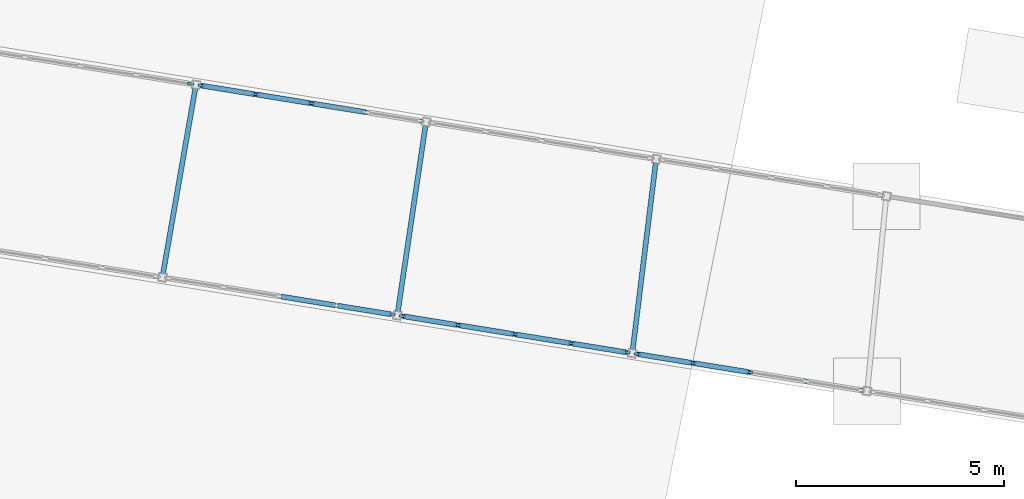
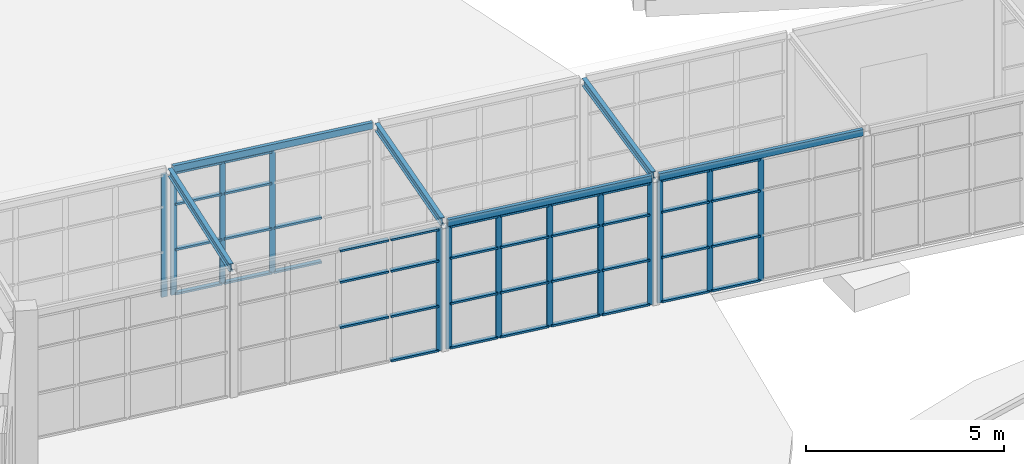
# One storey, part 69 of 226: 54 members, 6 beams, 5 elements without a shape of their own.
"""IFC4 building model written with IfcOpenShell, lengths in metres."""

from ifc_helpers import new_model, si_unit, direction, frame, origin, origin_2d, place, context, subcontext, project, spatial, rectangle, hollow_rectangle, i_section, extrude, material, material_profile, profile_set, type_object, element, aggregate, save


model = new_model("IFC4")

# Units and contexts
model_context = context("Model", 3, precision=1e-05, world=origin(), true_north=direction((0.0, 1.0)))
body_context = subcontext(model_context, "Body", "Model", "MODEL_VIEW")
ifc_project = project(units=[si_unit("LENGTHUNIT", "METRE"), si_unit("AREAUNIT", "SQUARE_METRE"), si_unit("VOLUMEUNIT", "CUBIC_METRE"), si_unit("PLANEANGLEUNIT", "RADIAN"), si_unit("MASSUNIT", "GRAM", prefix="KILO")], contexts=[model_context])

# Site, building, storey
site_placement = place(None, origin())
site = spatial("IfcSite", under=ifc_project, at=site_placement, CompositionType="ELEMENT")
building_placement = place(site_placement, origin())
building = spatial("IfcBuilding", under=site, at=building_placement, Name="Ceibo Conservatory and Research Tower", CompositionType="ELEMENT")
storey_placement = place(building_placement, origin())
storey = spatial("IfcBuildingStorey", under=building, at=storey_placement, Name="L00", CompositionType="ELEMENT", Elevation=0.0)

# Curtain wall, members
ifc_material_1 = material(Name="Aluminium and glass", Category="aluminium")
curtain_wall_type = type_object("IfcCurtainWallType", Name="Gallery curtain wall", PredefinedType="NOTDEFINED", material=ifc_material_1)
curtain_wall_1_placement = place(storey_placement, origin())
curtain_wall_1 = element("IfcCurtainWall", 1, at=curtain_wall_1_placement, inside=storey, type_object=curtain_wall_type, Name="Gallery curtain wall A-RT-CWN06", PredefinedType="NOTDEFINED")
ifc_material_2 = material(Name="Aluminium", Category="aluminium")
ifc_material_profile_1 = material_profile(ifc_material_2, rectangle(XDim=0.06005859375, YDim=0.159912109375, at=origin_2d()), Name="AL 60x160")
ifc_profile_set_1 = profile_set([ifc_material_profile_1], Name="Aluminium")
member_type_1 = type_object("IfcMemberType", Name="Gallery mullion 60x160", PredefinedType="MULLION", material=ifc_profile_set_1)
member_1_placement = place(storey_placement, frame((89.44873046875, 110.134765625, 0.0), z_axis=(0.0, 0.0, 1.0), x_axis=(-0.159391110254, -0.987215515464, 0.0)))
member_1 = element("IfcMember", 2, at=member_1_placement, type_object=member_type_1, Name="A-RT-CWN06 mullion 3", PredefinedType="MULLION", context=body_context, shape_type="SweptSolid", body=[
    extrude(rectangle(XDim=0.06005859375, YDim=0.159912109375, at=origin_2d()), origin(), (0.0, 0.0, 1.0), 3.800048828125),
])
member_2_placement = place(storey_placement, frame((88.0869140625, 110.354736328125, 0.0), z_axis=(0.0, 0.0, 1.0), x_axis=(-0.159391110254, -0.987215515464, 0.0)))
member_2 = element("IfcMember", 3, at=member_2_placement, type_object=member_type_1, Name="A-RT-CWN06 mullion 4", PredefinedType="MULLION", context=body_context, shape_type="SweptSolid", body=[
    extrude(rectangle(XDim=0.06005859375, YDim=0.159912109375, at=origin_2d()), origin(), (0.0, 0.0, 1.0), 3.800048828125),
])
member_3_placement = place(storey_placement, frame((86.754638671875, 110.56982421875, 0.0), z_axis=(0.0, 0.0, 1.0), x_axis=(-0.159391110254, -0.987215515464, 0.0)))
member_3 = element("IfcMember", 4, at=member_3_placement, type_object=member_type_1, Name="A-RT-CWN06 mullion 5", PredefinedType="MULLION", context=body_context, shape_type="SweptSolid", body=[
    extrude(rectangle(XDim=0.06005859375, YDim=0.159912109375, at=origin_2d()), origin(), (0.0, 0.0, 1.0), 3.800048828125),
])

curtain_wall_2_placement = place(storey_placement, origin())
curtain_wall_2 = element("IfcCurtainWall", 5, at=curtain_wall_2_placement, inside=storey, type_object=curtain_wall_type, Name="Gallery curtain wall A-RT-CWN07", PredefinedType="NOTDEFINED")
member_4_placement = place(storey_placement, frame((86.497802734375, 110.611083984375, 0.0), z_axis=(0.0, 0.0, 1.0), x_axis=(-0.159391110254, -0.987215515464, 0.0)))
member_4 = element("IfcMember", 6, at=member_4_placement, type_object=member_type_1, Name="A-RT-CWN07 mullion 1", PredefinedType="MULLION", context=body_context, shape_type="SweptSolid", body=[
    extrude(rectangle(XDim=0.06005859375, YDim=0.159912109375, at=origin_2d()), origin(), (0.0, 0.0, 1.0), 3.800048828125),
])
member_5_placement = place(storey_placement, frame((85.16552734375, 110.826171875, 0.0), z_axis=(0.0, 0.0, 1.0), x_axis=(-0.159391110254, -0.987215515464, 0.0)))
member_5 = element("IfcMember", 7, at=member_5_placement, type_object=member_type_1, Name="A-RT-CWN07 mullion 2", PredefinedType="MULLION", context=body_context, shape_type="SweptSolid", body=[
    extrude(rectangle(XDim=0.06005859375, YDim=0.159912109375, at=origin_2d()), origin(), (0.0, 0.0, 1.0), 3.800048828125),
])
member_6_placement = place(storey_placement, frame((83.8037109375, 111.046142578125, 0.0), z_axis=(0.0, 0.0, 1.0), x_axis=(-0.159391110254, -0.987215515464, 0.0)))
member_6 = element("IfcMember", 8, at=member_6_placement, type_object=member_type_1, Name="A-RT-CWN07 mullion 3", PredefinedType="MULLION", context=body_context, shape_type="SweptSolid", body=[
    extrude(rectangle(XDim=0.06005859375, YDim=0.159912109375, at=origin_2d()), origin(), (0.0, 0.0, 1.0), 3.800048828125),
])
member_7_placement = place(storey_placement, frame((82.44189453125, 111.26611328125, 0.0), z_axis=(0.0, 0.0, 1.0), x_axis=(-0.159391110254, -0.987215515464, 0.0)))
member_7 = element("IfcMember", 9, at=member_7_placement, type_object=member_type_1, Name="A-RT-CWN07 mullion 4", PredefinedType="MULLION", context=body_context, shape_type="SweptSolid", body=[
    extrude(rectangle(XDim=0.06005859375, YDim=0.159912109375, at=origin_2d()), origin(), (0.0, 0.0, 1.0), 3.800048828125),
])
member_8_placement = place(storey_placement, frame((81.109619140625, 111.481201171875, 0.0), z_axis=(0.0, 0.0, 1.0), x_axis=(-0.159391110254, -0.987215515464, 0.0)))
member_8 = element("IfcMember", 10, at=member_8_placement, type_object=member_type_1, Name="A-RT-CWN07 mullion 5", PredefinedType="MULLION", context=body_context, shape_type="SweptSolid", body=[
    extrude(rectangle(XDim=0.06005859375, YDim=0.159912109375, at=origin_2d()), origin(), (0.0, 0.0, 1.0), 3.800048828125),
])

# Curtain wall, member
curtain_wall_3_placement = place(storey_placement, origin())
curtain_wall_3 = element("IfcCurtainWall", 11, at=curtain_wall_3_placement, inside=storey, type_object=curtain_wall_type, Name="Gallery curtain wall A-RT-CWN08", PredefinedType="NOTDEFINED")
member_9_placement = place(storey_placement, frame((80.852783203125, 111.522705078125, 0.0), z_axis=(0.0, 0.0, 1.0), x_axis=(-0.159391110254, -0.987215515464, 0.0)))
member_9 = element("IfcMember", 12, at=member_9_placement, type_object=member_type_1, Name="A-RT-CWN08 mullion 1", PredefinedType="MULLION", context=body_context, shape_type="SweptSolid", body=[
    extrude(rectangle(XDim=0.06005859375, YDim=0.159912109375, at=origin_2d()), origin(), (0.0, 0.0, 1.0), 3.800048828125),
])

# Curtain wall, members
curtain_wall_4_placement = place(storey_placement, origin())
curtain_wall_4 = element("IfcCurtainWall", 13, at=curtain_wall_4_placement, inside=storey, type_object=curtain_wall_type, Name="Gallery curtain wall A-RT-CWS08", PredefinedType="NOTDEFINED")
member_10_placement = place(storey_placement, frame((78.907958984375, 116.597412109375, 0.0), z_axis=(0.0, 0.0, 1.0), x_axis=(-0.159391110254, -0.987215515464, 0.0)))
member_10 = element("IfcMember", 14, at=member_10_placement, type_object=member_type_1, Name="A-RT-CWS08 mullion 3", PredefinedType="MULLION", context=body_context, shape_type="SweptSolid", body=[
    extrude(rectangle(XDim=0.06005859375, YDim=0.159912109375, at=origin_2d()), origin(), (0.0, 0.0, 1.0), 3.800048828125),
])
member_11_placement = place(storey_placement, frame((77.57421875, 116.812744140625, 0.0), z_axis=(0.0, 0.0, 1.0), x_axis=(-0.159391110254, -0.987215515464, 0.0)))
member_11 = element("IfcMember", 15, at=member_11_placement, type_object=member_type_1, Name="A-RT-CWS08 mullion 4", PredefinedType="MULLION", context=body_context, shape_type="SweptSolid", body=[
    extrude(rectangle(XDim=0.06005859375, YDim=0.159912109375, at=origin_2d()), origin(), (0.0, 0.0, 1.0), 3.800048828125),
])
member_12_placement = place(storey_placement, frame((76.27001953125, 117.0234375, 0.0), z_axis=(0.0, 0.0, 1.0), x_axis=(-0.159391110254, -0.987215515464, 0.0)))
member_12 = element("IfcMember", 16, at=member_12_placement, type_object=member_type_1, Name="A-RT-CWS08 mullion 5", PredefinedType="MULLION", context=body_context, shape_type="SweptSolid", body=[
    extrude(rectangle(XDim=0.06005859375, YDim=0.159912109375, at=origin_2d()), origin(), (0.0, 0.0, 1.0), 3.800048828125),
])

# Curtain wall, member
curtain_wall_5_placement = place(storey_placement, origin())
curtain_wall_5 = element("IfcCurtainWall", 17, at=curtain_wall_5_placement, inside=storey, type_object=curtain_wall_type, Name="Gallery curtain wall A-RT-CWS09", PredefinedType="NOTDEFINED")
member_13_placement = place(storey_placement, frame((76.01318359375, 117.06494140625, 0.0), z_axis=(0.0, 0.0, 1.0), x_axis=(-0.159391110254, -0.987215515464, 0.0)))
member_13 = element("IfcMember", 18, at=member_13_placement, type_object=member_type_1, Name="A-RT-CWS09 mullion 1", PredefinedType="MULLION", context=body_context, shape_type="SweptSolid", body=[
    extrude(rectangle(XDim=0.06005859375, YDim=0.159912109375, at=origin_2d()), origin(), (0.0, 0.0, 1.0), 3.800048828125),
])
aggregate(curtain_wall_5, [member_13])

# Member
ifc_material_profile_2 = material_profile(ifc_material_2, rectangle(XDim=0.1201171875, YDim=0.06005859375, at=origin_2d()), Name="AL 60x120")
ifc_profile_set_2 = profile_set([ifc_material_profile_2], Name="Aluminium")
member_type_2 = type_object("IfcMemberType", Name="Gallery transom 60x120", PredefinedType="USERDEFINED", material=ifc_profile_set_2)
member_14_placement = place(storey_placement, frame((89.419189453125, 110.1396484375, 0.030029296875), z_axis=(-0.987230798426, 0.159296423809, 0.0), x_axis=(-0.159296423809, -0.987230798426, 0.0)))
member_14 = element("IfcMember", 19, at=member_14_placement, type_object=member_type_2, Name="A-RT-CWN06 transom 3.1", ObjectType="TRANSOM", PredefinedType="USERDEFINED", context=body_context, shape_type="SweptSolid", body=[
    extrude(rectangle(XDim=0.1201171875, YDim=0.06005859375, at=origin_2d()), origin(), (0.0, 0.0, 1.0), 1.319580078125),
])

member_15_placement = place(storey_placement, frame((89.419189453125, 110.1396484375, 1.39990234375), z_axis=(-0.987230798426, 0.159296423809, 0.0), x_axis=(-0.159296423809, -0.987230798426, 0.0)))
member_15 = element("IfcMember", 20, at=member_15_placement, type_object=member_type_2, Name="A-RT-CWN06 transom 3.2", ObjectType="TRANSOM", PredefinedType="USERDEFINED", context=body_context, shape_type="SweptSolid", body=[
    extrude(rectangle(XDim=0.1201171875, YDim=0.06005859375, at=origin_2d()), origin(), (0.0, 0.0, 1.0), 1.319580078125),
])

member_16_placement = place(storey_placement, frame((89.419189453125, 110.1396484375, 2.800048828125), z_axis=(-0.987230798426, 0.159296423809, 0.0), x_axis=(-0.159296423809, -0.987230798426, 0.0)))
member_16 = element("IfcMember", 21, at=member_16_placement, type_object=member_type_2, Name="A-RT-CWN06 transom 3.3", ObjectType="TRANSOM", PredefinedType="USERDEFINED", context=body_context, shape_type="SweptSolid", body=[
    extrude(rectangle(XDim=0.1201171875, YDim=0.06005859375, at=origin_2d()), origin(), (0.0, 0.0, 1.0), 1.319580078125),
])

member_17_placement = place(storey_placement, frame((89.419189453125, 110.1396484375, 3.77001953125), z_axis=(-0.987230798426, 0.159296423809, 0.0), x_axis=(-0.159296423809, -0.987230798426, 0.0)))
member_17 = element("IfcMember", 22, at=member_17_placement, type_object=member_type_2, Name="A-RT-CWN06 transom 3.4", ObjectType="TRANSOM", PredefinedType="USERDEFINED", context=body_context, shape_type="SweptSolid", body=[
    extrude(rectangle(XDim=0.1201171875, YDim=0.06005859375, at=origin_2d()), origin(), (0.0, 0.0, 1.0), 1.319580078125),
])

member_18_placement = place(storey_placement, frame((88.05712890625, 110.359375, 0.030029296875), z_axis=(-0.987210378052, 0.159422926413, 0.0), x_axis=(-0.159422926413, -0.987210378052, 0.0)))
member_18 = element("IfcMember", 23, at=member_18_placement, type_object=member_type_2, Name="A-RT-CWN06 transom 4.1", ObjectType="TRANSOM", PredefinedType="USERDEFINED", context=body_context, shape_type="SweptSolid", body=[
    extrude(rectangle(XDim=0.1201171875, YDim=0.06005859375, at=origin_2d()), origin(), (0.0, 0.0, 1.0), 1.28955078125),
])

member_19_placement = place(storey_placement, frame((88.05712890625, 110.359375, 1.39990234375), z_axis=(-0.987210378052, 0.159422926413, 0.0), x_axis=(-0.159422926413, -0.987210378052, 0.0)))
member_19 = element("IfcMember", 24, at=member_19_placement, type_object=member_type_2, Name="A-RT-CWN06 transom 4.2", ObjectType="TRANSOM", PredefinedType="USERDEFINED", context=body_context, shape_type="SweptSolid", body=[
    extrude(rectangle(XDim=0.1201171875, YDim=0.06005859375, at=origin_2d()), origin(), (0.0, 0.0, 1.0), 1.28955078125),
])

member_20_placement = place(storey_placement, frame((88.05712890625, 110.359375, 2.800048828125), z_axis=(-0.987210378052, 0.159422926413, 0.0), x_axis=(-0.159422926413, -0.987210378052, 0.0)))
member_20 = element("IfcMember", 25, at=member_20_placement, type_object=member_type_2, Name="A-RT-CWN06 transom 4.3", ObjectType="TRANSOM", PredefinedType="USERDEFINED", context=body_context, shape_type="SweptSolid", body=[
    extrude(rectangle(XDim=0.1201171875, YDim=0.06005859375, at=origin_2d()), origin(), (0.0, 0.0, 1.0), 1.28955078125),
])

member_21_placement = place(storey_placement, frame((88.05712890625, 110.359375, 3.77001953125), z_axis=(-0.987210378052, 0.159422926413, 0.0), x_axis=(-0.159422926413, -0.987210378052, 0.0)))
member_21 = element("IfcMember", 26, at=member_21_placement, type_object=member_type_2, Name="A-RT-CWN06 transom 4.4", ObjectType="TRANSOM", PredefinedType="USERDEFINED", context=body_context, shape_type="SweptSolid", body=[
    extrude(rectangle(XDim=0.1201171875, YDim=0.06005859375, at=origin_2d()), origin(), (0.0, 0.0, 1.0), 1.28955078125),
])

aggregate(curtain_wall_1, [member_1, member_2, member_3, member_14, member_15, member_16, member_17, member_18, member_19, member_20, member_21])

member_22_placement = place(storey_placement, frame((86.46826171875, 110.615966796875, 0.030029296875), z_axis=(-0.987210378052, 0.159422926413, 0.0), x_axis=(-0.159422926413, -0.987210378052, 0.0)))
member_22 = element("IfcMember", 27, at=member_22_placement, type_object=member_type_2, Name="A-RT-CWN07 transom 1.1", ObjectType="TRANSOM", PredefinedType="USERDEFINED", context=body_context, shape_type="SweptSolid", body=[
    extrude(rectangle(XDim=0.1201171875, YDim=0.06005859375, at=origin_2d()), origin(), (0.0, 0.0, 1.0), 1.28955078125),
])

member_23_placement = place(storey_placement, frame((86.46826171875, 110.615966796875, 1.39990234375), z_axis=(-0.987210378052, 0.159422926413, 0.0), x_axis=(-0.159422926413, -0.987210378052, 0.0)))
member_23 = element("IfcMember", 28, at=member_23_placement, type_object=member_type_2, Name="A-RT-CWN07 transom 1.2", ObjectType="TRANSOM", PredefinedType="USERDEFINED", context=body_context, shape_type="SweptSolid", body=[
    extrude(rectangle(XDim=0.1201171875, YDim=0.06005859375, at=origin_2d()), origin(), (0.0, 0.0, 1.0), 1.28955078125),
])

member_24_placement = place(storey_placement, frame((86.46826171875, 110.615966796875, 2.800048828125), z_axis=(-0.987210378052, 0.159422926413, 0.0), x_axis=(-0.159422926413, -0.987210378052, 0.0)))
member_24 = element("IfcMember", 29, at=member_24_placement, type_object=member_type_2, Name="A-RT-CWN07 transom 1.3", ObjectType="TRANSOM", PredefinedType="USERDEFINED", context=body_context, shape_type="SweptSolid", body=[
    extrude(rectangle(XDim=0.1201171875, YDim=0.06005859375, at=origin_2d()), origin(), (0.0, 0.0, 1.0), 1.28955078125),
])

member_25_placement = place(storey_placement, frame((86.46826171875, 110.615966796875, 3.77001953125), z_axis=(-0.987210378052, 0.159422926413, 0.0), x_axis=(-0.159422926413, -0.987210378052, 0.0)))
member_25 = element("IfcMember", 30, at=member_25_placement, type_object=member_type_2, Name="A-RT-CWN07 transom 1.4", ObjectType="TRANSOM", PredefinedType="USERDEFINED", context=body_context, shape_type="SweptSolid", body=[
    extrude(rectangle(XDim=0.1201171875, YDim=0.06005859375, at=origin_2d()), origin(), (0.0, 0.0, 1.0), 1.28955078125),
])

member_26_placement = place(storey_placement, frame((85.135986328125, 110.8310546875, 0.030029296875), z_axis=(-0.987201687199, 0.159476734326, 0.0), x_axis=(-0.159476734326, -0.987201687199, 0.0)))
member_26 = element("IfcMember", 31, at=member_26_placement, type_object=member_type_2, Name="A-RT-CWN07 transom 2.1", ObjectType="TRANSOM", PredefinedType="USERDEFINED", context=body_context, shape_type="SweptSolid", body=[
    extrude(rectangle(XDim=0.1201171875, YDim=0.06005859375, at=origin_2d()), origin(), (0.0, 0.0, 1.0), 1.319580078125),
])

member_27_placement = place(storey_placement, frame((85.135986328125, 110.8310546875, 1.39990234375), z_axis=(-0.987201687199, 0.159476734326, 0.0), x_axis=(-0.159476734326, -0.987201687199, 0.0)))
member_27 = element("IfcMember", 32, at=member_27_placement, type_object=member_type_2, Name="A-RT-CWN07 transom 2.2", ObjectType="TRANSOM", PredefinedType="USERDEFINED", context=body_context, shape_type="SweptSolid", body=[
    extrude(rectangle(XDim=0.1201171875, YDim=0.06005859375, at=origin_2d()), origin(), (0.0, 0.0, 1.0), 1.319580078125),
])

member_28_placement = place(storey_placement, frame((85.135986328125, 110.8310546875, 2.800048828125), z_axis=(-0.987201687199, 0.159476734326, 0.0), x_axis=(-0.159476734326, -0.987201687199, 0.0)))
member_28 = element("IfcMember", 33, at=member_28_placement, type_object=member_type_2, Name="A-RT-CWN07 transom 2.3", ObjectType="TRANSOM", PredefinedType="USERDEFINED", context=body_context, shape_type="SweptSolid", body=[
    extrude(rectangle(XDim=0.1201171875, YDim=0.06005859375, at=origin_2d()), origin(), (0.0, 0.0, 1.0), 1.319580078125),
])

member_29_placement = place(storey_placement, frame((85.135986328125, 110.8310546875, 3.77001953125), z_axis=(-0.987201687199, 0.159476734326, 0.0), x_axis=(-0.159476734326, -0.987201687199, 0.0)))
member_29 = element("IfcMember", 34, at=member_29_placement, type_object=member_type_2, Name="A-RT-CWN07 transom 2.4", ObjectType="TRANSOM", PredefinedType="USERDEFINED", context=body_context, shape_type="SweptSolid", body=[
    extrude(rectangle(XDim=0.1201171875, YDim=0.06005859375, at=origin_2d()), origin(), (0.0, 0.0, 1.0), 1.319580078125),
])

member_30_placement = place(storey_placement, frame((83.774169921875, 111.051025390625, 0.030029296875), z_axis=(-0.987230798426, 0.159296423809, 0.0), x_axis=(-0.159296423809, -0.987230798426, 0.0)))
member_30 = element("IfcMember", 35, at=member_30_placement, type_object=member_type_2, Name="A-RT-CWN07 transom 3.1", ObjectType="TRANSOM", PredefinedType="USERDEFINED", context=body_context, shape_type="SweptSolid", body=[
    extrude(rectangle(XDim=0.1201171875, YDim=0.06005859375, at=origin_2d()), origin(), (0.0, 0.0, 1.0), 1.319580078125),
])

member_31_placement = place(storey_placement, frame((83.774169921875, 111.051025390625, 1.39990234375), z_axis=(-0.987230798426, 0.159296423809, 0.0), x_axis=(-0.159296423809, -0.987230798426, 0.0)))
member_31 = element("IfcMember", 36, at=member_31_placement, type_object=member_type_2, Name="A-RT-CWN07 transom 3.2", ObjectType="TRANSOM", PredefinedType="USERDEFINED", context=body_context, shape_type="SweptSolid", body=[
    extrude(rectangle(XDim=0.1201171875, YDim=0.06005859375, at=origin_2d()), origin(), (0.0, 0.0, 1.0), 1.319580078125),
])

member_32_placement = place(storey_placement, frame((83.774169921875, 111.051025390625, 2.800048828125), z_axis=(-0.987230798426, 0.159296423809, 0.0), x_axis=(-0.159296423809, -0.987230798426, 0.0)))
member_32 = element("IfcMember", 37, at=member_32_placement, type_object=member_type_2, Name="A-RT-CWN07 transom 3.3", ObjectType="TRANSOM", PredefinedType="USERDEFINED", context=body_context, shape_type="SweptSolid", body=[
    extrude(rectangle(XDim=0.1201171875, YDim=0.06005859375, at=origin_2d()), origin(), (0.0, 0.0, 1.0), 1.319580078125),
])

member_33_placement = place(storey_placement, frame((83.774169921875, 111.051025390625, 3.77001953125), z_axis=(-0.987230798426, 0.159296423809, 0.0), x_axis=(-0.159296423809, -0.987230798426, 0.0)))
member_33 = element("IfcMember", 38, at=member_33_placement, type_object=member_type_2, Name="A-RT-CWN07 transom 3.4", ObjectType="TRANSOM", PredefinedType="USERDEFINED", context=body_context, shape_type="SweptSolid", body=[
    extrude(rectangle(XDim=0.1201171875, YDim=0.06005859375, at=origin_2d()), origin(), (0.0, 0.0, 1.0), 1.319580078125),
])

member_34_placement = place(storey_placement, frame((82.412109375, 111.270751953125, 0.030029296875), z_axis=(-0.987210378052, 0.159422926413, 0.0), x_axis=(-0.159422926413, -0.987210378052, 0.0)))
member_34 = element("IfcMember", 39, at=member_34_placement, type_object=member_type_2, Name="A-RT-CWN07 transom 4.1", ObjectType="TRANSOM", PredefinedType="USERDEFINED", context=body_context, shape_type="SweptSolid", body=[
    extrude(rectangle(XDim=0.1201171875, YDim=0.06005859375, at=origin_2d()), origin(), (0.0, 0.0, 1.0), 1.28955078125),
])

member_35_placement = place(storey_placement, frame((82.412109375, 111.270751953125, 1.39990234375), z_axis=(-0.987210378052, 0.159422926413, 0.0), x_axis=(-0.159422926413, -0.987210378052, 0.0)))
member_35 = element("IfcMember", 40, at=member_35_placement, type_object=member_type_2, Name="A-RT-CWN07 transom 4.2", ObjectType="TRANSOM", PredefinedType="USERDEFINED", context=body_context, shape_type="SweptSolid", body=[
    extrude(rectangle(XDim=0.1201171875, YDim=0.06005859375, at=origin_2d()), origin(), (0.0, 0.0, 1.0), 1.28955078125),
])

member_36_placement = place(storey_placement, frame((82.412109375, 111.270751953125, 2.800048828125), z_axis=(-0.987210378052, 0.159422926413, 0.0), x_axis=(-0.159422926413, -0.987210378052, 0.0)))
member_36 = element("IfcMember", 41, at=member_36_placement, type_object=member_type_2, Name="A-RT-CWN07 transom 4.3", ObjectType="TRANSOM", PredefinedType="USERDEFINED", context=body_context, shape_type="SweptSolid", body=[
    extrude(rectangle(XDim=0.1201171875, YDim=0.06005859375, at=origin_2d()), origin(), (0.0, 0.0, 1.0), 1.28955078125),
])

member_37_placement = place(storey_placement, frame((82.412109375, 111.270751953125, 3.77001953125), z_axis=(-0.987210378052, 0.159422926413, 0.0), x_axis=(-0.159422926413, -0.987210378052, 0.0)))
member_37 = element("IfcMember", 42, at=member_37_placement, type_object=member_type_2, Name="A-RT-CWN07 transom 4.4", ObjectType="TRANSOM", PredefinedType="USERDEFINED", context=body_context, shape_type="SweptSolid", body=[
    extrude(rectangle(XDim=0.1201171875, YDim=0.06005859375, at=origin_2d()), origin(), (0.0, 0.0, 1.0), 1.28955078125),
])

aggregate(curtain_wall_2, [member_4, member_5, member_6, member_7, member_8, member_22, member_23, member_24, member_25, member_26, member_27, member_28, member_29, member_30, member_31, member_32, member_33, member_34, member_35, member_36, member_37])

member_38_placement = place(storey_placement, frame((80.8232421875, 111.52734375, 0.030029296875), z_axis=(-0.987210378052, 0.159422926413, 0.0), x_axis=(-0.159422926413, -0.987210378052, 0.0)))
member_38 = element("IfcMember", 43, at=member_38_placement, type_object=member_type_2, Name="A-RT-CWN08 transom 1.1", ObjectType="TRANSOM", PredefinedType="USERDEFINED", context=body_context, shape_type="SweptSolid", body=[
    extrude(rectangle(XDim=0.1201171875, YDim=0.06005859375, at=origin_2d()), origin(), (0.0, 0.0, 1.0), 1.28955078125),
])

member_39_placement = place(storey_placement, frame((80.8232421875, 111.52734375, 1.39990234375), z_axis=(-0.987210378052, 0.159422926413, 0.0), x_axis=(-0.159422926413, -0.987210378052, 0.0)))
member_39 = element("IfcMember", 44, at=member_39_placement, type_object=member_type_2, Name="A-RT-CWN08 transom 1.2", ObjectType="TRANSOM", PredefinedType="USERDEFINED", context=body_context, shape_type="SweptSolid", body=[
    extrude(rectangle(XDim=0.1201171875, YDim=0.06005859375, at=origin_2d()), origin(), (0.0, 0.0, 1.0), 1.28955078125),
])

member_40_placement = place(storey_placement, frame((80.8232421875, 111.52734375, 2.800048828125), z_axis=(-0.987210378052, 0.159422926413, 0.0), x_axis=(-0.159422926413, -0.987210378052, 0.0)))
member_40 = element("IfcMember", 45, at=member_40_placement, type_object=member_type_2, Name="A-RT-CWN08 transom 1.3", ObjectType="TRANSOM", PredefinedType="USERDEFINED", context=body_context, shape_type="SweptSolid", body=[
    extrude(rectangle(XDim=0.1201171875, YDim=0.06005859375, at=origin_2d()), origin(), (0.0, 0.0, 1.0), 1.28955078125),
])

member_41_placement = place(storey_placement, frame((80.8232421875, 111.52734375, 3.77001953125), z_axis=(-0.987210378052, 0.159422926413, 0.0), x_axis=(-0.159422926413, -0.987210378052, 0.0)))
member_41 = element("IfcMember", 46, at=member_41_placement, type_object=member_type_2, Name="A-RT-CWN08 transom 1.4", ObjectType="TRANSOM", PredefinedType="USERDEFINED", context=body_context, shape_type="SweptSolid", body=[
    extrude(rectangle(XDim=0.1201171875, YDim=0.06005859375, at=origin_2d()), origin(), (0.0, 0.0, 1.0), 1.28955078125),
])

member_42_placement = place(storey_placement, frame((79.490966796875, 111.742431640625, 1.39990234375), z_axis=(-0.987201687199, 0.159476734326, 0.0), x_axis=(-0.159476734326, -0.987201687199, 0.0)))
member_42 = element("IfcMember", 47, at=member_42_placement, type_object=member_type_2, Name="A-RT-CWN08 transom 2.2", ObjectType="TRANSOM", PredefinedType="USERDEFINED", context=body_context, shape_type="SweptSolid", body=[
    extrude(rectangle(XDim=0.1201171875, YDim=0.06005859375, at=origin_2d()), origin(), (0.0, 0.0, 1.0), 1.319580078125),
])

member_43_placement = place(storey_placement, frame((79.490966796875, 111.742431640625, 2.800048828125), z_axis=(-0.987201687199, 0.159476734326, 0.0), x_axis=(-0.159476734326, -0.987201687199, 0.0)))
member_43 = element("IfcMember", 48, at=member_43_placement, type_object=member_type_2, Name="A-RT-CWN08 transom 2.3", ObjectType="TRANSOM", PredefinedType="USERDEFINED", context=body_context, shape_type="SweptSolid", body=[
    extrude(rectangle(XDim=0.1201171875, YDim=0.06005859375, at=origin_2d()), origin(), (0.0, 0.0, 1.0), 1.319580078125),
])

member_44_placement = place(storey_placement, frame((79.490966796875, 111.742431640625, 3.77001953125), z_axis=(-0.987201687199, 0.159476734326, 0.0), x_axis=(-0.159476734326, -0.987201687199, 0.0)))
member_44 = element("IfcMember", 49, at=member_44_placement, type_object=member_type_2, Name="A-RT-CWN08 transom 2.4", ObjectType="TRANSOM", PredefinedType="USERDEFINED", context=body_context, shape_type="SweptSolid", body=[
    extrude(rectangle(XDim=0.1201171875, YDim=0.06005859375, at=origin_2d()), origin(), (0.0, 0.0, 1.0), 1.319580078125),
])

aggregate(curtain_wall_3, [member_9, member_38, member_39, member_40, member_41, member_42, member_43, member_44])

member_45_placement = place(storey_placement, frame((80.21240234375, 116.386962890625, 0.030029296875), z_axis=(-0.987214258871, 0.159398892976, 0.0), x_axis=(-0.159398892976, -0.987214258871, 0.0)))
member_45 = element("IfcMember", 50, at=member_45_placement, type_object=member_type_2, Name="A-RT-CWS08 transom 2.1", ObjectType="TRANSOM", PredefinedType="USERDEFINED", context=body_context, shape_type="SweptSolid", body=[
    extrude(rectangle(XDim=0.1201171875, YDim=0.06005859375, at=origin_2d()), origin(), (0.0, 0.0, 1.0), 1.291259765625),
])

member_46_placement = place(storey_placement, frame((80.21240234375, 116.386962890625, 1.39990234375), z_axis=(-0.987214258871, 0.159398892976, 0.0), x_axis=(-0.159398892976, -0.987214258871, 0.0)))
member_46 = element("IfcMember", 51, at=member_46_placement, type_object=member_type_2, Name="A-RT-CWS08 transom 2.2", ObjectType="TRANSOM", PredefinedType="USERDEFINED", context=body_context, shape_type="SweptSolid", body=[
    extrude(rectangle(XDim=0.1201171875, YDim=0.06005859375, at=origin_2d()), origin(), (0.0, 0.0, 1.0), 1.291259765625),
])

member_47_placement = place(storey_placement, frame((78.87841796875, 116.602294921875, 0.030029296875), z_axis=(-0.987214258871, 0.159398892976, 0.0), x_axis=(-0.159398892976, -0.987214258871, 0.0)))
member_47 = element("IfcMember", 52, at=member_47_placement, type_object=member_type_2, Name="A-RT-CWS08 transom 3.1", ObjectType="TRANSOM", PredefinedType="USERDEFINED", context=body_context, shape_type="SweptSolid", body=[
    extrude(rectangle(XDim=0.1201171875, YDim=0.06005859375, at=origin_2d()), origin(), (0.0, 0.0, 1.0), 1.291259765625),
])

member_48_placement = place(storey_placement, frame((78.87841796875, 116.602294921875, 1.39990234375), z_axis=(-0.987214258871, 0.159398892976, 0.0), x_axis=(-0.159398892976, -0.987214258871, 0.0)))
member_48 = element("IfcMember", 53, at=member_48_placement, type_object=member_type_2, Name="A-RT-CWS08 transom 3.2", ObjectType="TRANSOM", PredefinedType="USERDEFINED", context=body_context, shape_type="SweptSolid", body=[
    extrude(rectangle(XDim=0.1201171875, YDim=0.06005859375, at=origin_2d()), origin(), (0.0, 0.0, 1.0), 1.291259765625),
])

member_49_placement = place(storey_placement, frame((78.87841796875, 116.602294921875, 2.800048828125), z_axis=(-0.987214258871, 0.159398892976, 0.0), x_axis=(-0.159398892976, -0.987214258871, 0.0)))
member_49 = element("IfcMember", 54, at=member_49_placement, type_object=member_type_2, Name="A-RT-CWS08 transom 3.3", ObjectType="TRANSOM", PredefinedType="USERDEFINED", context=body_context, shape_type="SweptSolid", body=[
    extrude(rectangle(XDim=0.1201171875, YDim=0.06005859375, at=origin_2d()), origin(), (0.0, 0.0, 1.0), 1.291259765625),
])

member_50_placement = place(storey_placement, frame((78.87841796875, 116.602294921875, 3.77001953125), z_axis=(-0.987214258871, 0.159398892976, 0.0), x_axis=(-0.159398892976, -0.987214258871, 0.0)))
member_50 = element("IfcMember", 55, at=member_50_placement, type_object=member_type_2, Name="A-RT-CWS08 transom 3.4", ObjectType="TRANSOM", PredefinedType="USERDEFINED", context=body_context, shape_type="SweptSolid", body=[
    extrude(rectangle(XDim=0.1201171875, YDim=0.06005859375, at=origin_2d()), origin(), (0.0, 0.0, 1.0), 1.291259765625),
])

member_51_placement = place(storey_placement, frame((77.544677734375, 116.817626953125, 0.030029296875), z_axis=(-0.987228356567, 0.159311556364, 0.0), x_axis=(-0.159311556364, -0.987228356567, 0.0)))
member_51 = element("IfcMember", 56, at=member_51_placement, type_object=member_type_2, Name="A-RT-CWS08 transom 4.1", ObjectType="TRANSOM", PredefinedType="USERDEFINED", context=body_context, shape_type="SweptSolid", body=[
    extrude(rectangle(XDim=0.1201171875, YDim=0.06005859375, at=origin_2d()), origin(), (0.0, 0.0, 1.0), 1.26123046875),
])

member_52_placement = place(storey_placement, frame((77.544677734375, 116.817626953125, 1.39990234375), z_axis=(-0.987228356567, 0.159311556364, 0.0), x_axis=(-0.159311556364, -0.987228356567, 0.0)))
member_52 = element("IfcMember", 57, at=member_52_placement, type_object=member_type_2, Name="A-RT-CWS08 transom 4.2", ObjectType="TRANSOM", PredefinedType="USERDEFINED", context=body_context, shape_type="SweptSolid", body=[
    extrude(rectangle(XDim=0.1201171875, YDim=0.06005859375, at=origin_2d()), origin(), (0.0, 0.0, 1.0), 1.26123046875),
])

member_53_placement = place(storey_placement, frame((77.544677734375, 116.817626953125, 2.800048828125), z_axis=(-0.987228356567, 0.159311556364, 0.0), x_axis=(-0.159311556364, -0.987228356567, 0.0)))
member_53 = element("IfcMember", 58, at=member_53_placement, type_object=member_type_2, Name="A-RT-CWS08 transom 4.3", ObjectType="TRANSOM", PredefinedType="USERDEFINED", context=body_context, shape_type="SweptSolid", body=[
    extrude(rectangle(XDim=0.1201171875, YDim=0.06005859375, at=origin_2d()), origin(), (0.0, 0.0, 1.0), 1.26123046875),
])

member_54_placement = place(storey_placement, frame((77.544677734375, 116.817626953125, 3.77001953125), z_axis=(-0.987228356567, 0.159311556364, 0.0), x_axis=(-0.159311556364, -0.987228356567, 0.0)))
member_54 = element("IfcMember", 59, at=member_54_placement, type_object=member_type_2, Name="A-RT-CWS08 transom 4.4", ObjectType="TRANSOM", PredefinedType="USERDEFINED", context=body_context, shape_type="SweptSolid", body=[
    extrude(rectangle(XDim=0.1201171875, YDim=0.06005859375, at=origin_2d()), origin(), (0.0, 0.0, 1.0), 1.26123046875),
])

aggregate(curtain_wall_4, [member_10, member_11, member_12, member_45, member_46, member_47, member_48, member_49, member_50, member_51, member_52, member_53, member_54])

# Beams
ifc_material_3 = material(Name="Steel S355J2", Category="steel")
ifc_material_profile_3 = material_profile(ifc_material_3, i_section(OverallWidth=0.1201171875, OverallDepth=0.239990234375, WebThickness=0.006103515625, FlangeThickness=0.009765625, at=origin_2d()), Name="IPE 240")
ifc_profile_set_3 = profile_set([ifc_material_profile_3], Name="Steel S355J2")
beam_type_1 = type_object("IfcBeamType", Name="IPE 240 roof beam", PredefinedType="BEAM", material=ifc_profile_set_3)
beam_1_placement = place(storey_placement, frame((86.641357421875, 110.684326171875, 3.8798828125), z_axis=(0.12209043696, 0.99251897977, 0.0), x_axis=(-0.99251897977, 0.12209043696, 0.0)))
element("IfcBeam", 60, at=beam_1_placement, inside=storey, type_object=beam_type_1, Name="Gallery roof beam A-RT-RB06", PredefinedType="BEAM", context=body_context, shape_type="SweptSolid", body=[
    extrude(i_section(OverallWidth=0.1201171875, OverallDepth=0.239990234375, WebThickness=0.006103515625, FlangeThickness=0.009765625, at=origin_2d()), origin(), (0.0, 0.0, 1.0), 4.51318359375),
])
for number, where, z_axis, x_axis, name in (
    (61, (80.996337890625, 111.595703125, 3.8798828125), (0.147011602771, 0.989134767689, 0.0), (-0.989134767689, 0.147011602771, 0.0), "Gallery roof beam A-RT-RB07"),
    (62, (75.351318359375, 112.507080078125, 3.8798828125), (0.1718551153, 0.985122235738, 0.0), (-0.985122235738, 0.1718551153, 0.0), "Gallery roof beam A-RT-RB08"),
):
    element("IfcBeam", number, at=place(storey_placement, frame(where, z_axis=z_axis, x_axis=x_axis)), inside=storey, type_object=beam_type_1, Name=name, PredefinedType="BEAM", context=body_context, shape_type="SweptSolid", body=[
        extrude(i_section(OverallWidth=0.1201171875, OverallDepth=0.239990234375, WebThickness=0.006103515625, FlangeThickness=0.009765625, at=origin_2d()), origin(), (0.0, 0.0, 1.0), 4.510498046875),
    ])
ifc_material_4 = material(Name="Steel S355J2H", Category="steel")
ifc_material_profile_4 = material_profile(ifc_material_4, hollow_rectangle(XDim=0.10009765625, YDim=0.199951171875, WallThickness=0.008056640625, at=origin_2d()), Name="RHS 200x100x8 edge beam")
ifc_profile_set_4 = profile_set([ifc_material_profile_4], Name="Steel S355J2H")
beam_type_2 = type_object("IfcBeamType", Name="RHS 200x100x8 edge beam", PredefinedType="BEAM", material=ifc_profile_set_4)
beam_2_placement = place(storey_placement, frame((92.177490234375, 109.694091796875, 3.89990234375), z_axis=(-0.987209748849, 0.159426822642, 0.0), x_axis=(-0.159426822642, -0.987209748849, 0.0)))
element("IfcBeam", 63, at=beam_2_placement, inside=storey, type_object=beam_type_2, Name="Gallery edge beam A-RT-EBN06", PredefinedType="BEAM", context=body_context, shape_type="SweptSolid", body=[
    extrude(hollow_rectangle(XDim=0.10009765625, YDim=0.199951171875, WallThickness=0.008056640625, at=origin_2d()), origin(), (0.0, 0.0, 1.0), 5.5283203125),
])
beam_3_placement = place(storey_placement, frame((86.532470703125, 110.605712890625, 3.89990234375), z_axis=(-0.987216698603, 0.159383782109, 0.0), x_axis=(-0.159383782109, -0.987216698603, 0.0)))
element("IfcBeam", 64, at=beam_3_placement, inside=storey, type_object=beam_type_2, Name="Gallery edge beam A-RT-EBN07", PredefinedType="BEAM", context=body_context, shape_type="SweptSolid", body=[
    extrude(hollow_rectangle(XDim=0.10009765625, YDim=0.199951171875, WallThickness=0.008056640625, at=origin_2d()), origin(), (0.0, 0.0, 1.0), 5.528076171875),
])
beam_4_placement = place(storey_placement, frame((81.580810546875, 116.166015625, 3.89990234375), z_axis=(-0.987215957529, 0.159388372225, 0.0), x_axis=(-0.159388372225, -0.987215957529, 0.0)))
element("IfcBeam", 65, at=beam_4_placement, inside=storey, type_object=beam_type_2, Name="Gallery edge beam A-RT-EBS08", PredefinedType="BEAM", context=body_context, shape_type="SweptSolid", body=[
    extrude(hollow_rectangle(XDim=0.10009765625, YDim=0.199951171875, WallThickness=0.008056640625, at=origin_2d()), origin(), (0.0, 0.0, 1.0), 5.414794921875),
])

save(model, "model.ifc")
